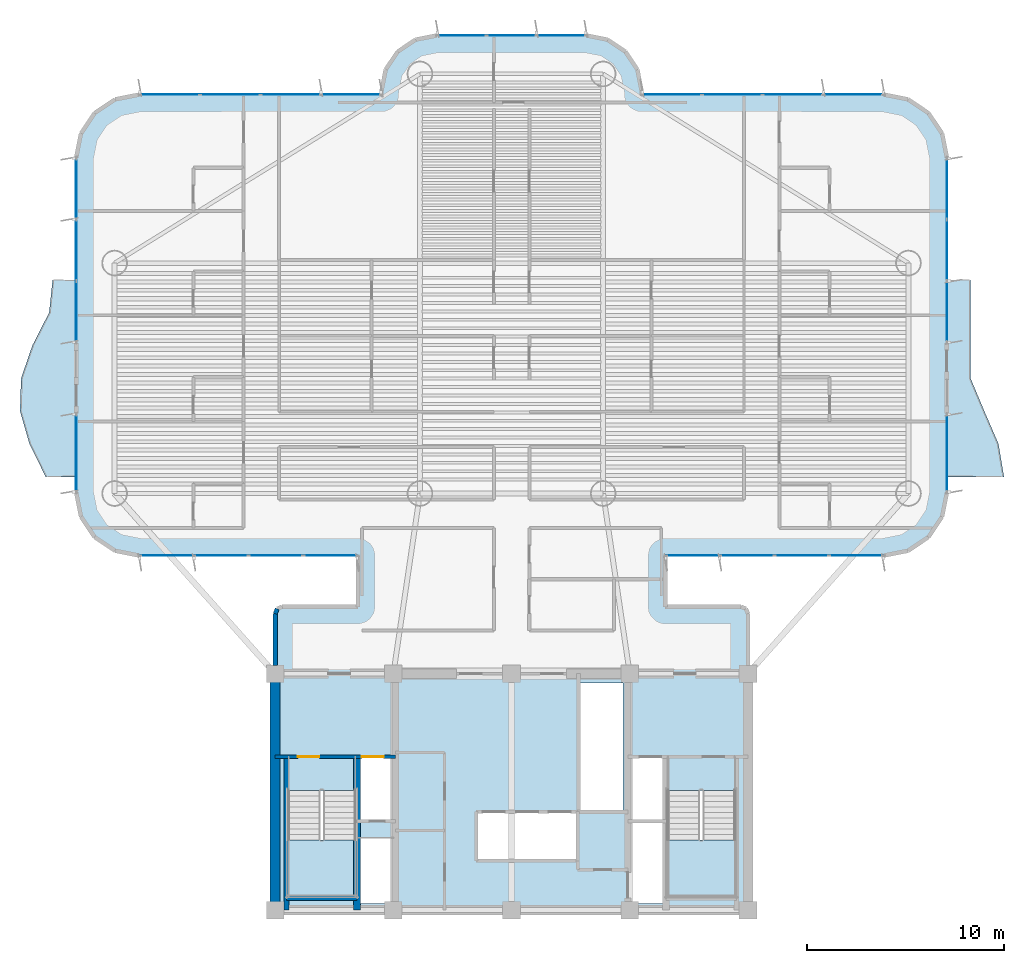
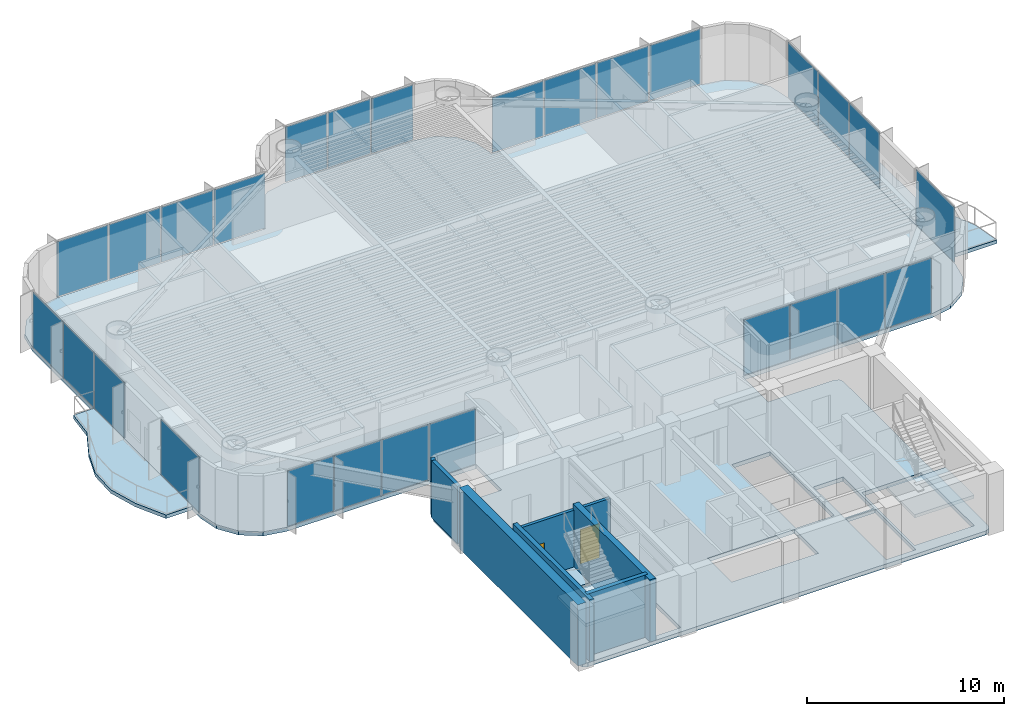
# One storey, part 8 of 17: 27 plates, 7 walls, 5 slabs, 2 doors, 2 openings, 11 elements without a shape of their own.
"""IFC4 building model written with IfcOpenShell, lengths in metres."""

from ifc_helpers import new_model, si_unit, direction, frame, frame_2d, origin, origin_2d, place, context, subcontext, project, spatial, polyline, rectangle, outline, extrude, source, transform, mapped, material, layer, layer_set, type_object, element, fill, aggregate, save


model = new_model("IFC4")

# Units and contexts
model_context = context("Model", 3, precision=1e-05, world=origin(), true_north=direction((0.0, 1.0)))
body_context = subcontext(model_context, "Body", "Model", "MODEL_VIEW")
ifc_project = project(units=[si_unit("LENGTHUNIT", "METRE"), si_unit("AREAUNIT", "SQUARE_METRE"), si_unit("VOLUMEUNIT", "CUBIC_METRE"), si_unit("PLANEANGLEUNIT", "RADIAN"), si_unit("MASSUNIT", "GRAM", prefix="KILO")], contexts=[model_context])

# Site, building, storey
site_placement = place(None, origin())
site = spatial("IfcSite", under=ifc_project, at=site_placement, CompositionType="ELEMENT")
building_placement = place(site_placement, origin())
building = spatial("IfcBuilding", under=site, at=building_placement, Name="Brelvock Crest Care Tower", CompositionType="ELEMENT")
storey_placement = place(building_placement, frame((0.0, 0.0, 131.39990234375)))
storey = spatial("IfcBuildingStorey", under=building, at=storey_placement, Name="L33", CompositionType="ELEMENT", Elevation=131.39990234375)

# Slabs
ifc_material_1 = material(Name="Concrete N50 (50 MPa)", Category="concrete")
ifc_layer_1 = layer(ifc_material_1, 0.22998046875, Name="SLB-FL4")
ifc_layer_set_1 = layer_set([ifc_layer_1], Name="Concrete N50 (50 MPa)")
slab_type_1 = type_object("IfcSlabType", Name="SLB-FL4", PredefinedType="FLOOR", material=ifc_layer_set_1)
slab_1_placement = place(storey_placement, frame((0.0, 0.0, -0.25)))
element("IfcSlab", 1, at=slab_1_placement, inside=storey, type_object=slab_type_1, Name="L33 Main Structural Slab", PredefinedType="FLOOR", context=body_context, shape_type="SweptSolid", body=[
    extrude(outline(polyline([(47.64990234375, 21.39990234375), (43.800048828125, 21.39990234375), (43.800048828125, 24.0), (54.89990234375, 24.0), (56.12451171875, 24.24365234375), (57.16259765625, 24.937255859375), (57.8564453125, 25.975341796875), (58.10009765625, 27.199951171875), (58.10009765625, 44.199951171875), (57.8564453125, 45.424560546875), (57.16259765625, 46.462646484375), (56.12451171875, 47.156494140625), (54.89990234375, 47.39990234375), (42.60009765625, 47.39990234375), (42.60009765625, 47.60009765625), (42.386962890625, 48.67138671875), (41.77978515625, 49.579833984375), (40.87158203125, 50.18701171875), (39.800048828125, 50.39990234375), (32.199951171875, 50.39990234375), (31.12841796875, 50.18701171875), (30.22021484375, 49.579833984375), (29.613037109375, 48.67138671875), (29.39990234375, 47.60009765625), (29.39990234375, 47.39990234375), (17.10009765625, 47.39990234375), (15.87548828125, 47.156494140625), (14.83740234375, 46.462646484375), (14.1435546875, 45.424560546875), (13.89990234375, 44.199951171875), (13.89990234375, 27.199951171875), (14.1435546875, 25.975341796875), (14.83740234375, 24.937255859375), (15.87548828125, 24.24365234375), (17.10009765625, 24.0), (28.199951171875, 24.0), (28.199951171875, 21.39990234375), (24.35009765625, 21.39990234375), (24.1025390625, 21.297607421875), (24.0, 21.050048828125), (24.0, 6.35009765625), (24.1025390625, 6.1025390625), (24.35009765625, 6.0), (47.64990234375, 6.0), (47.8974609375, 6.1025390625), (48.0, 6.35009765625), (48.0, 21.050048828125), (47.8974609375, 21.297607421875), (47.64990234375, 21.39990234375)]), holes=[polyline([(28.239990234375, 10.580078125), (29.97998046875, 10.580078125), (29.97998046875, 13.739990234375), (28.239990234375, 13.739990234375), (28.239990234375, 10.580078125)]), polyline([(42.02001953125, 10.580078125), (43.760009765625, 10.580078125), (43.760009765625, 13.739990234375), (42.02001953125, 13.739990234375), (42.02001953125, 10.580078125)]), polyline([(28.239990234375, 6.340087890625), (29.97998046875, 6.340087890625), (29.97998046875, 9.64990234375), (28.239990234375, 9.64990234375), (28.239990234375, 6.340087890625)]), polyline([(24.6298828125, 12.080078125), (24.6298828125, 6.699951171875), (28.110107421875, 6.699951171875), (28.110107421875, 12.080078125), (24.6298828125, 12.080078125)]), polyline([(43.889892578125, 12.080078125), (43.889892578125, 6.699951171875), (47.3701171875, 6.699951171875), (47.3701171875, 12.080078125), (43.889892578125, 12.080078125)]), polyline([(42.02001953125, 6.340087890625), (43.760009765625, 6.340087890625), (43.760009765625, 10.5), (42.02001953125, 10.5), (42.02001953125, 6.340087890625)]), polyline([(34.22998046875, 8.530029296875), (39.320068359375, 8.530029296875), (39.320068359375, 10.969970703125), (34.22998046875, 10.969970703125), (34.22998046875, 8.530029296875)]), polyline([(39.429931640625, 11.030029296875), (41.669921875, 11.030029296875), (41.669921875, 17.52001953125), (39.429931640625, 17.52001953125), (39.429931640625, 11.030029296875)])]), origin(), (0.0, 0.0, 1.0), 0.25),
])
ifc_layer_2 = layer(ifc_material_1, 0.219970703125, Name="SLB-WB1")
ifc_layer_set_2 = layer_set([ifc_layer_2], Name="Concrete N50 (50 MPa)")
slab_type_2 = type_object("IfcSlabType", Name="SLB-WB1", PredefinedType="FLOOR", material=ifc_layer_set_2)
slab_2_placement = place(storey_placement, frame((0.0, 0.0, -0.219970703125)))
element("IfcSlab", 2, at=slab_2_placement, inside=storey, type_object=slab_type_2, Name="L33 W Sinusoidal Wave Balcony Slab", PredefinedType="FLOOR", context=body_context, shape_type="SweptSolid", body=[
    extrude(outline(polyline([(13.89990234375, 38.0), (12.699951171875, 38.0), (12.526123046875, 36.333251953125), (11.675048828125, 34.666748046875), (11.102783203125, 33.0), (11.0458984375, 31.333251953125), (11.5283203125, 29.666748046875), (12.35009765625, 28.0), (13.89990234375, 28.0), (13.89990234375, 38.0)])), origin(), (0.0, 0.0, 1.0), 0.219970703125),
])
slab_3_placement = place(storey_placement, frame((0.0, 0.0, -0.219970703125)))
element("IfcSlab", 3, at=slab_3_placement, inside=storey, type_object=slab_type_2, Name="L33 E Sinusoidal Wave Balcony Slab", PredefinedType="FLOOR", context=body_context, shape_type="SweptSolid", body=[
    extrude(outline(polyline([(58.10009765625, 28.0), (61.0, 28.0), (60.720947265625, 29.666748046875), (59.99951171875, 31.333251953125), (59.300048828125, 33.0), (59.300048828125, 34.666748046875), (59.300048828125, 36.333251953125), (59.300048828125, 38.0), (58.10009765625, 38.0), (58.10009765625, 28.0)])), origin(), (0.0, 0.0, 1.0), 0.219970703125),
])

# Stair, slab
ifc_material_2 = material(Name="Concrete N40 (40 MPa)", Category="concrete")
stair_type = type_object("IfcStairType", Name="ST-CORE1", PredefinedType="HALF_TURN_STAIR", material=ifc_material_2)
stair_1_placement = place(storey_placement, origin())
stair_1 = element("IfcStair", 4, at=stair_1_placement, inside=storey, type_object=stair_type, Name="L33 Fire-Isolated Core Stair ST-1", PredefinedType="HALF_TURN_STAIR")
ifc_layer_3 = layer(ifc_material_2, 0.199951171875, Name="STL-1")
ifc_layer_set_3 = layer_set([ifc_layer_3], Name="Concrete N40 (40 MPa)")
slab_type_3 = type_object("IfcSlabType", Name="STL-1", PredefinedType="LANDING", material=ifc_layer_set_3)
slab_4_placement = place(storey_placement, frame((0.0, 0.0, 1.690185546875)))
slab_4 = element("IfcSlab", 5, at=slab_4_placement, type_object=slab_type_3, Name="ST-1 landing 1", PredefinedType="LANDING", context=body_context, shape_type="SweptSolid", body=[
    extrude(outline(polyline([(24.6298828125, 9.56005859375), (24.6298828125, 6.699951171875), (28.110107421875, 6.699951171875), (28.110107421875, 9.56005859375), (24.6298828125, 9.56005859375)])), origin(), (0.0, 0.0, 1.0), 0.199951171875),
])
aggregate(stair_1, [slab_4])

stair_2_placement = place(storey_placement, origin())
stair_2 = element("IfcStair", 6, at=stair_2_placement, inside=storey, type_object=stair_type, Name="L33 Fire-Isolated Core Stair ST-2", PredefinedType="HALF_TURN_STAIR")
slab_5_placement = place(storey_placement, frame((0.0, 0.0, 1.690185546875)))
slab_5 = element("IfcSlab", 7, at=slab_5_placement, type_object=slab_type_3, Name="ST-2 landing 1", PredefinedType="LANDING", context=body_context, shape_type="SweptSolid", body=[
    extrude(outline(polyline([(43.889892578125, 9.56005859375), (43.889892578125, 6.699951171875), (47.3701171875, 6.699951171875), (47.3701171875, 9.56005859375), (43.889892578125, 9.56005859375)])), origin(), (0.0, 0.0, 1.0), 0.199951171875),
])
aggregate(stair_2, [slab_5])

# Curtain wall, plates
ifc_material_3 = material(Name="Dark Glass Double Glazed Low-E", Category="glass")
ifc_layer_4 = layer(ifc_material_3, 0.2099609375, Name="CWS-3")
ifc_layer_set_4 = layer_set([ifc_layer_4], Name="Dark Glass Double Glazed Low-E")
curtain_wall_type = type_object("IfcCurtainWallType", Name="CWS-3", PredefinedType="NOTDEFINED", material=ifc_layer_set_4)
curtain_wall_1_placement = place(storey_placement, origin())
curtain_wall_1 = element("IfcCurtainWall", 8, at=curtain_wall_1_placement, inside=storey, type_object=curtain_wall_type, Name="L33 Curtain Wall E12", PredefinedType="NOTDEFINED")
ifc_layer_5 = layer(ifc_material_3, 0.031982421875, Name="CWP-V1")
ifc_layer_set_5 = layer_set([ifc_layer_5], Name="Dark Glass Double Glazed Low-E")
plate_type = type_object("IfcPlateType", Name="CWP-V1", PredefinedType="CURTAIN_PANEL", material=ifc_layer_set_5)
shared_shape_1 = source(origin(), body_context, "Body", "SweptSolid", [
    extrude(rectangle(XDim=2.68505859375, YDim=0.035888671875, at=origin_2d()), origin(), (0.0, 0.0, 1.0), 3.409912109375),
])
plate_1_placement = place(storey_placement, frame((26.797607421875, 24.0, 0.06005859375), z_axis=(0.0, 0.0, 1.0), x_axis=(-1.0, 0.0, 0.0)))
plate_1 = element("IfcPlate", 9, at=plate_1_placement, type_object=plate_type, Name="CW-3 panel 1.1", PredefinedType="CURTAIN_PANEL", context=body_context, shape_type="MappedRepresentation", body=[
    mapped(shared_shape_1, transform((0.0, 0.0, 0.0), x_axis=(1.0, 0.0, 0.0), y_axis=(0.0, 1.0, 0.0), z_axis=(0.0, 0.0, 1.0), scale=1.0)),
])
plate_2_placement = place(storey_placement, frame((18.50244140625, 24.0, 0.06005859375), z_axis=(0.0, 0.0, 1.0), x_axis=(-1.0, 0.0, 0.0)))
plate_2 = element("IfcPlate", 10, at=plate_2_placement, type_object=plate_type, Name="CW-3 panel 4.1", PredefinedType="CURTAIN_PANEL", context=body_context, shape_type="MappedRepresentation", body=[
    mapped(shared_shape_1, transform((0.0, 0.0, 0.0), x_axis=(1.0, 0.0, 0.0), y_axis=(0.0, 1.0, 0.0), z_axis=(0.0, 0.0, 1.0), scale=1.0)),
])

curtain_wall_2_placement = place(storey_placement, origin())
curtain_wall_2 = element("IfcCurtainWall", 11, at=curtain_wall_2_placement, inside=storey, type_object=curtain_wall_type, Name="L33 Curtain Wall E44", PredefinedType="NOTDEFINED")
plate_3_placement = place(storey_placement, frame((53.49755859375, 24.0, 0.06005859375), z_axis=(0.0, 0.0, 1.0), x_axis=(-1.0, 0.0, 0.0)))
plate_3 = element("IfcPlate", 12, at=plate_3_placement, type_object=plate_type, Name="CW-3 panel 1.1", PredefinedType="CURTAIN_PANEL", context=body_context, shape_type="MappedRepresentation", body=[
    mapped(shared_shape_1, transform((0.0, 0.0, 0.0), x_axis=(1.0, 0.0, 0.0), y_axis=(0.0, 1.0, 0.0), z_axis=(0.0, 0.0, 1.0), scale=1.0)),
])
plate_4_placement = place(storey_placement, frame((45.202392578125, 24.0, 0.06005859375), z_axis=(0.0, 0.0, 1.0), x_axis=(-1.0, 0.0, 0.0)))
plate_4 = element("IfcPlate", 13, at=plate_4_placement, type_object=plate_type, Name="CW-3 panel 4.1", PredefinedType="CURTAIN_PANEL", context=body_context, shape_type="MappedRepresentation", body=[
    mapped(shared_shape_1, transform((0.0, 0.0, 0.0), x_axis=(1.0, 0.0, 0.0), y_axis=(0.0, 1.0, 0.0), z_axis=(0.0, 0.0, 1.0), scale=1.0)),
])

# Plate
shared_shape_2 = source(origin(), body_context, "Body", "SweptSolid", [
    extrude(rectangle(XDim=2.715087890625, YDim=0.035888671875, at=origin_2d()), origin(), (0.0, 0.0, 1.0), 3.409912109375),
])
plate_5_placement = place(storey_placement, frame((24.03759765625, 24.0, 0.06005859375), z_axis=(0.0, 0.0, 1.0), x_axis=(-1.0, 0.0, 0.0)))
plate_5 = element("IfcPlate", 14, at=plate_5_placement, type_object=plate_type, Name="CW-3 panel 2.1", PredefinedType="CURTAIN_PANEL", context=body_context, shape_type="MappedRepresentation", body=[
    mapped(shared_shape_2, transform((0.0, 0.0, 0.0), x_axis=(1.0, 0.0, 0.0), y_axis=(0.0, 1.0, 0.0), z_axis=(0.0, 0.0, 1.0), scale=1.0)),
])

plate_6_placement = place(storey_placement, frame((21.262451171875, 24.0, 0.06005859375), z_axis=(0.0, 0.0, 1.0), x_axis=(-1.0, 0.0, 0.0)))
plate_6 = element("IfcPlate", 15, at=plate_6_placement, type_object=plate_type, Name="CW-3 panel 3.1", PredefinedType="CURTAIN_PANEL", context=body_context, shape_type="MappedRepresentation", body=[
    mapped(shared_shape_2, transform((0.0, 0.0, 0.0), x_axis=(1.0, 0.0, 0.0), y_axis=(0.0, 1.0, 0.0), z_axis=(0.0, 0.0, 1.0), scale=1.0)),
])

aggregate(curtain_wall_1, [plate_1, plate_5, plate_6, plate_2])

plate_7_placement = place(storey_placement, frame((50.737548828125, 24.0, 0.06005859375), z_axis=(0.0, 0.0, 1.0), x_axis=(-1.0, 0.0, 0.0)))
plate_7 = element("IfcPlate", 16, at=plate_7_placement, type_object=plate_type, Name="CW-3 panel 2.1", PredefinedType="CURTAIN_PANEL", context=body_context, shape_type="MappedRepresentation", body=[
    mapped(shared_shape_2, transform((0.0, 0.0, 0.0), x_axis=(1.0, 0.0, 0.0), y_axis=(0.0, 1.0, 0.0), z_axis=(0.0, 0.0, 1.0), scale=1.0)),
])

plate_8_placement = place(storey_placement, frame((47.96240234375, 24.0, 0.06005859375), z_axis=(0.0, 0.0, 1.0), x_axis=(-1.0, 0.0, 0.0)))
plate_8 = element("IfcPlate", 17, at=plate_8_placement, type_object=plate_type, Name="CW-3 panel 3.1", PredefinedType="CURTAIN_PANEL", context=body_context, shape_type="MappedRepresentation", body=[
    mapped(shared_shape_2, transform((0.0, 0.0, 0.0), x_axis=(1.0, 0.0, 0.0), y_axis=(0.0, 1.0, 0.0), z_axis=(0.0, 0.0, 1.0), scale=1.0)),
])

aggregate(curtain_wall_2, [plate_3, plate_7, plate_8, plate_4])

# Curtain wall, plates
curtain_wall_3_placement = place(storey_placement, origin())
curtain_wall_3 = element("IfcCurtainWall", 18, at=curtain_wall_3_placement, inside=storey, type_object=curtain_wall_type, Name="L33 Curtain Wall E22", PredefinedType="NOTDEFINED")
shared_shape_3 = source(origin(), body_context, "Body", "SweptSolid", [
    extrude(rectangle(XDim=2.985107421875, YDim=0.035888671875, at=origin_2d()), origin(), (0.0, 0.0, 1.0), 3.409912109375),
])
plate_9_placement = place(storey_placement, frame((18.652587890625, 47.39990234375, 0.06005859375), z_axis=(0.0, 0.0, 1.0), x_axis=(1.0, 0.0, 0.0)))
plate_9 = element("IfcPlate", 19, at=plate_9_placement, type_object=plate_type, Name="CW-3 panel 1.1", PredefinedType="CURTAIN_PANEL", context=body_context, shape_type="MappedRepresentation", body=[
    mapped(shared_shape_3, transform((0.0, 0.0, 0.0), x_axis=(1.0, 0.0, 0.0), y_axis=(0.0, 1.0, 0.0), z_axis=(0.0, 0.0, 1.0), scale=1.0)),
])
plate_10_placement = place(storey_placement, frame((27.847412109375, 47.39990234375, 0.06005859375), z_axis=(0.0, 0.0, 1.0), x_axis=(1.0, 0.0, 0.0)))
plate_10 = element("IfcPlate", 20, at=plate_10_placement, type_object=plate_type, Name="CW-3 panel 4.1", PredefinedType="CURTAIN_PANEL", context=body_context, shape_type="MappedRepresentation", body=[
    mapped(shared_shape_3, transform((0.0, 0.0, 0.0), x_axis=(1.0, 0.0, 0.0), y_axis=(0.0, 1.0, 0.0), z_axis=(0.0, 0.0, 1.0), scale=1.0)),
])

curtain_wall_4_placement = place(storey_placement, origin())
curtain_wall_4 = element("IfcCurtainWall", 21, at=curtain_wall_4_placement, inside=storey, type_object=curtain_wall_type, Name="L33 Curtain Wall E34", PredefinedType="NOTDEFINED")
plate_11_placement = place(storey_placement, frame((44.152587890625, 47.39990234375, 0.06005859375), z_axis=(0.0, 0.0, 1.0), x_axis=(1.0, 0.0, 0.0)))
plate_11 = element("IfcPlate", 22, at=plate_11_placement, type_object=plate_type, Name="CW-3 panel 1.1", PredefinedType="CURTAIN_PANEL", context=body_context, shape_type="MappedRepresentation", body=[
    mapped(shared_shape_3, transform((0.0, 0.0, 0.0), x_axis=(1.0, 0.0, 0.0), y_axis=(0.0, 1.0, 0.0), z_axis=(0.0, 0.0, 1.0), scale=1.0)),
])
plate_12_placement = place(storey_placement, frame((53.347412109375, 47.39990234375, 0.06005859375), z_axis=(0.0, 0.0, 1.0), x_axis=(1.0, 0.0, 0.0)))
plate_12 = element("IfcPlate", 23, at=plate_12_placement, type_object=plate_type, Name="CW-3 panel 4.1", PredefinedType="CURTAIN_PANEL", context=body_context, shape_type="MappedRepresentation", body=[
    mapped(shared_shape_3, transform((0.0, 0.0, 0.0), x_axis=(1.0, 0.0, 0.0), y_axis=(0.0, 1.0, 0.0), z_axis=(0.0, 0.0, 1.0), scale=1.0)),
])

# Plate
shared_shape_4 = source(origin(), body_context, "Body", "SweptSolid", [
    extrude(rectangle(XDim=3.014892578125, YDim=0.035888671875, at=origin_2d()), origin(), (0.0, 0.0, 1.0), 3.409912109375),
])
plate_13_placement = place(storey_placement, frame((21.71240234375, 47.39990234375, 0.06005859375), z_axis=(0.0, 0.0, 1.0), x_axis=(1.0, 0.0, 0.0)))
plate_13 = element("IfcPlate", 24, at=plate_13_placement, type_object=plate_type, Name="CW-3 panel 2.1", PredefinedType="CURTAIN_PANEL", context=body_context, shape_type="MappedRepresentation", body=[
    mapped(shared_shape_4, transform((0.0, 0.0, 0.0), x_axis=(1.0, 0.0, 0.0), y_axis=(0.0, 1.0, 0.0), z_axis=(0.0, 0.0, 1.0), scale=1.0)),
])

plate_14_placement = place(storey_placement, frame((24.78759765625, 47.39990234375, 0.06005859375), z_axis=(0.0, 0.0, 1.0), x_axis=(1.0, 0.0, 0.0)))
plate_14 = element("IfcPlate", 25, at=plate_14_placement, type_object=plate_type, Name="CW-3 panel 3.1", PredefinedType="CURTAIN_PANEL", context=body_context, shape_type="MappedRepresentation", body=[
    mapped(shared_shape_4, transform((0.0, 0.0, 0.0), x_axis=(1.0, 0.0, 0.0), y_axis=(0.0, 1.0, 0.0), z_axis=(0.0, 0.0, 1.0), scale=1.0)),
])

aggregate(curtain_wall_3, [plate_9, plate_13, plate_14, plate_10])

plate_15_placement = place(storey_placement, frame((47.21240234375, 47.39990234375, 0.06005859375), z_axis=(0.0, 0.0, 1.0), x_axis=(1.0, 0.0, 0.0)))
plate_15 = element("IfcPlate", 26, at=plate_15_placement, type_object=plate_type, Name="CW-3 panel 2.1", PredefinedType="CURTAIN_PANEL", context=body_context, shape_type="MappedRepresentation", body=[
    mapped(shared_shape_4, transform((0.0, 0.0, 0.0), x_axis=(1.0, 0.0, 0.0), y_axis=(0.0, 1.0, 0.0), z_axis=(0.0, 0.0, 1.0), scale=1.0)),
])

plate_16_placement = place(storey_placement, frame((50.28759765625, 47.39990234375, 0.06005859375), z_axis=(0.0, 0.0, 1.0), x_axis=(1.0, 0.0, 0.0)))
plate_16 = element("IfcPlate", 27, at=plate_16_placement, type_object=plate_type, Name="CW-3 panel 3.1", PredefinedType="CURTAIN_PANEL", context=body_context, shape_type="MappedRepresentation", body=[
    mapped(shared_shape_4, transform((0.0, 0.0, 0.0), x_axis=(1.0, 0.0, 0.0), y_axis=(0.0, 1.0, 0.0), z_axis=(0.0, 0.0, 1.0), scale=1.0)),
])

aggregate(curtain_wall_4, [plate_11, plate_15, plate_16, plate_12])

# Curtain wall, plates
curtain_wall_5_placement = place(storey_placement, origin())
curtain_wall_5 = element("IfcCurtainWall", 28, at=curtain_wall_5_placement, inside=storey, type_object=curtain_wall_type, Name="L33 Curtain Wall E28", PredefinedType="NOTDEFINED")
shared_shape_5 = source(origin(), body_context, "Body", "SweptSolid", [
    extrude(rectangle(XDim=2.443359375, YDim=0.035888671875, at=origin_2d()), origin(), (0.0, 0.0, 1.0), 3.409912109375),
])
plate_17_placement = place(storey_placement, frame((33.481689453125, 50.39990234375, 0.06005859375), z_axis=(0.0, 0.0, 1.0), x_axis=(1.0, 0.0, 0.0)))
plate_17 = element("IfcPlate", 29, at=plate_17_placement, type_object=plate_type, Name="CW-3 panel 1.1", PredefinedType="CURTAIN_PANEL", context=body_context, shape_type="MappedRepresentation", body=[
    mapped(shared_shape_5, transform((0.0, 0.0, 0.0), x_axis=(1.0, 0.0, 0.0), y_axis=(0.0, 1.0, 0.0), z_axis=(0.0, 0.0, 1.0), scale=1.0)),
])
plate_18_placement = place(storey_placement, frame((38.518310546875, 50.39990234375, 0.06005859375), z_axis=(0.0, 0.0, 1.0), x_axis=(1.0, 0.0, 0.0)))
plate_18 = element("IfcPlate", 30, at=plate_18_placement, type_object=plate_type, Name="CW-3 panel 3.1", PredefinedType="CURTAIN_PANEL", context=body_context, shape_type="MappedRepresentation", body=[
    mapped(shared_shape_5, transform((0.0, 0.0, 0.0), x_axis=(1.0, 0.0, 0.0), y_axis=(0.0, 1.0, 0.0), z_axis=(0.0, 0.0, 1.0), scale=1.0)),
])
shared_shape_6 = source(origin(), body_context, "Body", "SweptSolid", [
    extrude(rectangle(XDim=2.473388671875, YDim=0.035888671875, at=origin_2d()), origin(), (0.0, 0.0, 1.0), 3.409912109375),
])
plate_19_placement = place(storey_placement, frame((36.0, 50.39990234375, 0.06005859375), z_axis=(0.0, 0.0, 1.0), x_axis=(1.0, 0.0, 0.0)))
plate_19 = element("IfcPlate", 31, at=plate_19_placement, type_object=plate_type, Name="CW-3 panel 2.1", PredefinedType="CURTAIN_PANEL", context=body_context, shape_type="MappedRepresentation", body=[
    mapped(shared_shape_6, transform((0.0, 0.0, 0.0), x_axis=(1.0, 0.0, 0.0), y_axis=(0.0, 1.0, 0.0), z_axis=(0.0, 0.0, 1.0), scale=1.0)),
])
aggregate(curtain_wall_5, [plate_17, plate_19, plate_18])

# Curtain wall, plate
curtain_wall_6_placement = place(storey_placement, origin())
curtain_wall_6 = element("IfcCurtainWall", 32, at=curtain_wall_6_placement, inside=storey, type_object=curtain_wall_type, Name="L33 Curtain Wall E17A", PredefinedType="NOTDEFINED")
shared_shape_7 = source(origin(), body_context, "Body", "SweptSolid", [
    extrude(rectangle(XDim=3.8798828125, YDim=0.035888671875, at=origin_2d()), origin(), (0.0, 0.0, 1.0), 3.409912109375),
])
plate_20_placement = place(storey_placement, frame((13.89990234375, 29.199951171875, 0.06005859375), z_axis=(0.0, 0.0, 1.0), x_axis=(0.0, 1.0, 0.0)))
plate_20 = element("IfcPlate", 33, at=plate_20_placement, type_object=plate_type, Name="CW-3 panel 1.1", PredefinedType="CURTAIN_PANEL", context=body_context, shape_type="MappedRepresentation", body=[
    mapped(shared_shape_7, transform((0.0, 0.0, 0.0), x_axis=(1.0, 0.0, 0.0), y_axis=(0.0, 1.0, 0.0), z_axis=(0.0, 0.0, 1.0), scale=1.0)),
])
aggregate(curtain_wall_6, [plate_20])

curtain_wall_7_placement = place(storey_placement, origin())
curtain_wall_7 = element("IfcCurtainWall", 34, at=curtain_wall_7_placement, inside=storey, type_object=curtain_wall_type, Name="L33 Curtain Wall E39B", PredefinedType="NOTDEFINED")
plate_21_placement = place(storey_placement, frame((58.10009765625, 29.199951171875, 0.06005859375), z_axis=(0.0, 0.0, 1.0), x_axis=(0.0, -1.0, 0.0)))
plate_21 = element("IfcPlate", 35, at=plate_21_placement, type_object=plate_type, Name="CW-3 panel 1.1", PredefinedType="CURTAIN_PANEL", context=body_context, shape_type="MappedRepresentation", body=[
    mapped(shared_shape_7, transform((0.0, 0.0, 0.0), x_axis=(1.0, 0.0, 0.0), y_axis=(0.0, 1.0, 0.0), z_axis=(0.0, 0.0, 1.0), scale=1.0)),
])
aggregate(curtain_wall_7, [plate_21])

# Curtain wall, plates
curtain_wall_8_placement = place(storey_placement, origin())
curtain_wall_8 = element("IfcCurtainWall", 36, at=curtain_wall_8_placement, inside=storey, type_object=curtain_wall_type, Name="L33 Curtain Wall E17B", PredefinedType="NOTDEFINED")
shared_shape_8 = source(origin(), body_context, "Body", "SweptSolid", [
    extrude(rectangle(XDim=3.043212890625, YDim=0.035888671875, at=origin_2d()), origin(), (0.0, 0.0, 1.0), 3.409912109375),
])
plate_22_placement = place(storey_placement, frame((13.89990234375, 36.381591796875, 0.06005859375), z_axis=(0.0, 0.0, 1.0), x_axis=(0.0, 1.0, 0.0)))
plate_22 = element("IfcPlate", 37, at=plate_22_placement, type_object=plate_type, Name="CW-3 panel 1.1", PredefinedType="CURTAIN_PANEL", context=body_context, shape_type="MappedRepresentation", body=[
    mapped(shared_shape_8, transform((0.0, 0.0, 0.0), x_axis=(1.0, 0.0, 0.0), y_axis=(0.0, 1.0, 0.0), z_axis=(0.0, 0.0, 1.0), scale=1.0)),
])
plate_23_placement = place(storey_placement, frame((13.89990234375, 42.618408203125, 0.06005859375), z_axis=(0.0, 0.0, 1.0), x_axis=(0.0, 1.0, 0.0)))
plate_23 = element("IfcPlate", 38, at=plate_23_placement, type_object=plate_type, Name="CW-3 panel 3.1", PredefinedType="CURTAIN_PANEL", context=body_context, shape_type="MappedRepresentation", body=[
    mapped(shared_shape_8, transform((0.0, 0.0, 0.0), x_axis=(1.0, 0.0, 0.0), y_axis=(0.0, 1.0, 0.0), z_axis=(0.0, 0.0, 1.0), scale=1.0)),
])

curtain_wall_9_placement = place(storey_placement, origin())
curtain_wall_9 = element("IfcCurtainWall", 39, at=curtain_wall_9_placement, inside=storey, type_object=curtain_wall_type, Name="L33 Curtain Wall E39A", PredefinedType="NOTDEFINED")
plate_24_placement = place(storey_placement, frame((58.10009765625, 42.618408203125, 0.06005859375), z_axis=(0.0, 0.0, 1.0), x_axis=(0.0, -1.0, 0.0)))
plate_24 = element("IfcPlate", 40, at=plate_24_placement, type_object=plate_type, Name="CW-3 panel 1.1", PredefinedType="CURTAIN_PANEL", context=body_context, shape_type="MappedRepresentation", body=[
    mapped(shared_shape_8, transform((0.0, 0.0, 0.0), x_axis=(1.0, 0.0, 0.0), y_axis=(0.0, 1.0, 0.0), z_axis=(0.0, 0.0, 1.0), scale=1.0)),
])
plate_25_placement = place(storey_placement, frame((58.10009765625, 36.381591796875, 0.06005859375), z_axis=(0.0, 0.0, 1.0), x_axis=(0.0, -1.0, 0.0)))
plate_25 = element("IfcPlate", 41, at=plate_25_placement, type_object=plate_type, Name="CW-3 panel 3.1", PredefinedType="CURTAIN_PANEL", context=body_context, shape_type="MappedRepresentation", body=[
    mapped(shared_shape_8, transform((0.0, 0.0, 0.0), x_axis=(1.0, 0.0, 0.0), y_axis=(0.0, 1.0, 0.0), z_axis=(0.0, 0.0, 1.0), scale=1.0)),
])

# Plate
shared_shape_9 = source(origin(), body_context, "Body", "SweptSolid", [
    extrude(rectangle(XDim=3.0732421875, YDim=0.035888671875, at=origin_2d()), origin(), (0.0, 0.0, 1.0), 3.409912109375),
])
plate_26_placement = place(storey_placement, frame((13.89990234375, 39.5, 0.06005859375), z_axis=(0.0, 0.0, 1.0), x_axis=(0.0, 1.0, 0.0)))
plate_26 = element("IfcPlate", 42, at=plate_26_placement, type_object=plate_type, Name="CW-3 panel 2.1", PredefinedType="CURTAIN_PANEL", context=body_context, shape_type="MappedRepresentation", body=[
    mapped(shared_shape_9, transform((0.0, 0.0, 0.0), x_axis=(1.0, 0.0, 0.0), y_axis=(0.0, 1.0, 0.0), z_axis=(0.0, 0.0, 1.0), scale=1.0)),
])

aggregate(curtain_wall_8, [plate_22, plate_26, plate_23])

plate_27_placement = place(storey_placement, frame((58.10009765625, 39.5, 0.06005859375), z_axis=(0.0, 0.0, 1.0), x_axis=(0.0, -1.0, 0.0)))
plate_27 = element("IfcPlate", 43, at=plate_27_placement, type_object=plate_type, Name="CW-3 panel 2.1", PredefinedType="CURTAIN_PANEL", context=body_context, shape_type="MappedRepresentation", body=[
    mapped(shared_shape_9, transform((0.0, 0.0, 0.0), x_axis=(1.0, 0.0, 0.0), y_axis=(0.0, 1.0, 0.0), z_axis=(0.0, 0.0, 1.0), scale=1.0)),
])

aggregate(curtain_wall_9, [plate_24, plate_27, plate_25])

# Walls
ifc_material_4 = material(Name="Concrete S80 (80 MPa)", Category="concrete")
ifc_layer_6 = layer(ifc_material_4, 0.5, Name="WL-CS2")
ifc_layer_set_6 = layer_set([ifc_layer_6], Name="Concrete S80 (80 MPa)")
wall_type_1 = type_object("IfcWallType", Name="WL-CS2", PredefinedType="SHEAR", material=ifc_layer_set_6)
wall_1_placement = place(storey_placement, frame((24.0, 6.0, 0.0), z_axis=(0.0, 0.0, 1.0), x_axis=(0.0, 1.0, 0.0)))
element("IfcWall", 44, at=wall_1_placement, inside=storey, type_object=wall_type_1, Name="L33 Core West Shear Wall", PredefinedType="SHEAR", context=body_context, shape_type="SweptSolid", body=[
    extrude(rectangle(XDim=12.0, YDim=0.5, at=frame_2d((6.0, 0.0))), origin(), (0.0, 0.0, 1.0), 3.780029296875),
])
ifc_layer_7 = layer(ifc_material_4, 0.35009765625, Name="WL-CS5")
ifc_layer_set_7 = layer_set([ifc_layer_7], Name="Concrete S80 (80 MPa)")
wall_type_2 = type_object("IfcWallType", Name="WL-CS5", PredefinedType="SHEAR", material=ifc_layer_set_7)
wall_2_placement = place(storey_placement, frame((28.14990234375, 6.0, 0.0), z_axis=(0.0, 0.0, 1.0), x_axis=(0.0, 1.0, 0.0)))
element("IfcWall", 45, at=wall_2_placement, inside=storey, type_object=wall_type_2, Name="L33 Core Stair ST-1 East Shear Wall", PredefinedType="SHEAR", context=body_context, shape_type="SweptSolid", body=[
    extrude(rectangle(XDim=7.780029296875, YDim=0.35009765625, at=frame_2d((3.89013671875, 0.0))), origin(), (0.0, 0.0, 1.0), 3.85009765625),
])
ifc_layer_8 = layer(ifc_material_4, 0.25, Name="WL-CS6")
ifc_layer_set_8 = layer_set([ifc_layer_8], Name="Concrete S80 (80 MPa)")
wall_type_3 = type_object("IfcWallType", Name="WL-CS6", PredefinedType="SHEAR", material=ifc_layer_set_8)
wall_3_placement = place(storey_placement, frame((24.580078125, 6.0, 0.0), z_axis=(0.0, 0.0, 1.0), x_axis=(0.0, 1.0, 0.0)))
element("IfcWall", 46, at=wall_3_placement, inside=storey, type_object=wall_type_3, Name="L33 Core Stair ST-1 West Shear Wall", PredefinedType="SHEAR", context=body_context, shape_type="SweptSolid", body=[
    extrude(rectangle(XDim=7.780029296875, YDim=0.25, at=frame_2d((3.89013671875, 0.0))), origin(), (0.0, 0.0, 1.0), 3.85009765625),
])
wall_4_placement = place(storey_placement, frame((24.580078125, 6.6201171875, 0.0), z_axis=(0.0, 0.0, 1.0), x_axis=(1.0, 0.0, 0.0)))
element("IfcWall", 47, at=wall_4_placement, inside=storey, type_object=wall_type_3, Name="L33 Core Stair ST-1 South Shear Wall", PredefinedType="SHEAR", context=body_context, shape_type="SweptSolid", body=[
    extrude(rectangle(XDim=3.56982421875, YDim=0.25, at=frame_2d((1.784912109375, 0.0))), origin(), (0.0, 0.0, 1.0), 3.85009765625),
])
ifc_material_5 = material(Name="Precast concrete N40 (40 MPa)", Category="concrete")
ifc_layer_9 = layer(ifc_material_5, 0.215087890625, Name="WL-EX2")
ifc_layer_set_9 = layer_set([ifc_layer_9], Name="Precast concrete N40 (40 MPa)")
wall_type_4 = type_object("IfcWallType", Name="WL-EX2", PredefinedType="SOLIDWALL", material=ifc_layer_set_9)
wall_5_placement = place(storey_placement, frame((24.0, 18.429931640625, 0.0), z_axis=(0.0, 0.0, 1.0), x_axis=(0.0, 1.0, 0.0)))
element("IfcWall", 48, at=wall_5_placement, inside=storey, type_object=wall_type_4, Name="L33 Rounded Corner Wall 07", PredefinedType="SOLIDWALL", context=body_context, shape_type="SweptSolid", body=[
    extrude(rectangle(XDim=2.6201171875, YDim=0.215087890625, at=frame_2d((1.31005859375, 0.0))), origin(), (0.0, 0.0, 1.0), 3.530029296875),
])
wall_6_placement = place(storey_placement, frame((24.0, 21.050048828125, 0.0), z_axis=(0.0, 0.0, 1.0), x_axis=(0.382673670509, 0.923883575944, 0.0)))
element("IfcWall", 49, at=wall_6_placement, inside=storey, type_object=wall_type_4, Name="L33 Rounded Corner Wall 08", PredefinedType="SOLIDWALL", context=body_context, shape_type="SweptSolid", body=[
    extrude(rectangle(XDim=0.26806640625, YDim=0.215087890625, at=frame_2d((0.134033203125, 0.0))), origin(), (0.0, 0.0, 1.0), 3.530029296875),
])

# Wall, openings, doors
ifc_material_6 = material(Name="Masonry Blockwork Acoustic Partition", Category="masonry")
ifc_layer_10 = layer(ifc_material_6, 0.179931640625, Name="WL-SHF1")
ifc_layer_set_10 = layer_set([ifc_layer_10], Name="Masonry Blockwork Acoustic Partition")
wall_type_5 = type_object("IfcWallType", Name="WL-SHF1", PredefinedType="PARTITIONING", material=ifc_layer_set_10)
wall_7_placement = place(storey_placement, frame((24.0, 13.780029296875, 0.0), z_axis=(0.0, 0.0, 1.0), x_axis=(1.0, 0.0, 0.0)))
wall_7 = element("IfcWall", 50, at=wall_7_placement, inside=storey, type_object=wall_type_5, Name="L33 Interior Wall WL-ST1-N-L33", PredefinedType="PARTITIONING", context=body_context, shape_type="SweptSolid", body=[
    extrude(rectangle(XDim=6.10009765625, YDim=0.179931640625, at=frame_2d((3.050048828125, 0.0))), origin(), (0.0, 0.0, 1.0), 3.5),
])
opening_1_placement = place(wall_7_placement, frame((1.14990234375, 0.0, 0.0)))
opening_1 = element("IfcOpeningElement", 51, at=opening_1_placement, cuts=wall_7, Name="Opening SD-1", PredefinedType="OPENING", context=body_context, shape_type="SweptSolid", body=[
    extrude(rectangle(XDim=1.10009765625, YDim=2.10009765625, at=origin_2d()), frame((0.550048828125, 0.10009765625, 1.050048828125), z_axis=(0.0, -1.0, 0.0), x_axis=(1.0, 0.0, 0.0)), (0.0, 0.0, 1.0), 0.199951171875),
])
opening_2_placement = place(wall_7_placement, frame((4.39990234375, 0.0, 0.0)))
opening_2 = element("IfcOpeningElement", 52, at=opening_2_placement, cuts=wall_7, Name="Opening LD", PredefinedType="OPENING", context=body_context, shape_type="SweptSolid", body=[
    extrude(rectangle(XDim=1.10009765625, YDim=2.10009765625, at=origin_2d()), frame((0.550048828125, 0.10009765625, 1.050048828125), z_axis=(0.0, -1.0, 0.0), x_axis=(1.0, 0.0, 0.0)), (0.0, 0.0, 1.0), 0.199951171875),
])
ifc_material_7 = material(Name="Steel Grade 350", Category="steel")
door_type_1 = type_object("IfcDoorType", Name="DR-ST1", OperationType="NOTDEFINED", PredefinedType="DOOR", material=ifc_material_7)
shared_shape_10 = source(origin(), body_context, "Body", "SweptSolid", [
    extrude(rectangle(XDim=1.10009765625, YDim=2.10009765625, at=origin_2d()), frame((0.550048828125, 0.02490234375, 1.050048828125), z_axis=(0.0, -1.0, 0.0), x_axis=(1.0, 0.0, 0.0)), (0.0, 0.0, 1.0), 0.050048828125),
])
door_1_placement = place(opening_1_placement, origin())
door_1 = element("IfcDoor", 53, at=door_1_placement, inside=storey, type_object=door_type_1, Name="L33 Fire Stair ST-1 Door", OperationType="SINGLE_SWING_LEFT", OverallHeight=2.10009765625, OverallWidth=1.10009765625, PredefinedType="DOOR", context=body_context, shape_type="MappedRepresentation", body=[
    mapped(shared_shape_10, transform((0.0, 0.0, 0.0), x_axis=(1.0, 0.0, 0.0), y_axis=(0.0, 1.0, 0.0), z_axis=(0.0, 0.0, 1.0), scale=1.0)),
])
fill(opening_1, door_1)
door_type_2 = type_object("IfcDoorType", Name="DR-LD1", OperationType="NOTDEFINED", PredefinedType="DOOR", material=ifc_material_7)
shared_shape_11 = source(origin(), body_context, "Body", "SweptSolid", [
    extrude(rectangle(XDim=1.10009765625, YDim=2.10009765625, at=origin_2d()), frame((0.550048828125, 0.02490234375, 1.050048828125), z_axis=(0.0, -1.0, 0.0), x_axis=(1.0, 0.0, 0.0)), (0.0, 0.0, 1.0), 0.050048828125),
])
door_2_placement = place(opening_2_placement, origin())
door_2 = element("IfcDoor", 54, at=door_2_placement, inside=storey, type_object=door_type_2, Name="L33 Firefighting Lift FFL-1 Landing Door", OperationType="SLIDING_TO_LEFT", OverallHeight=2.10009765625, OverallWidth=1.10009765625, PredefinedType="DOOR", context=body_context, shape_type="MappedRepresentation", body=[
    mapped(shared_shape_11, transform((0.0, 0.0, 0.0), x_axis=(1.0, 0.0, 0.0), y_axis=(0.0, 1.0, 0.0), z_axis=(0.0, 0.0, 1.0), scale=1.0)),
])
fill(opening_2, door_2)

save(model, "model.ifc")
